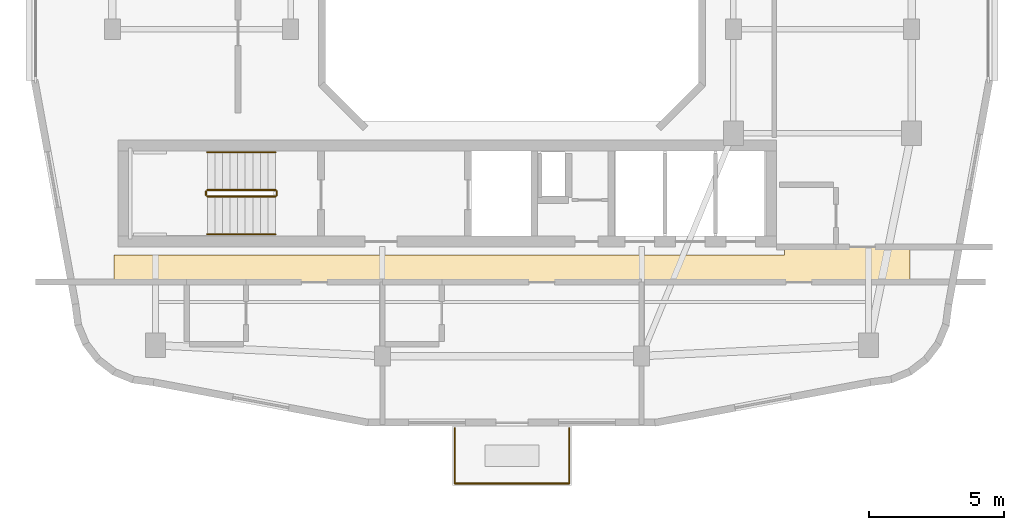
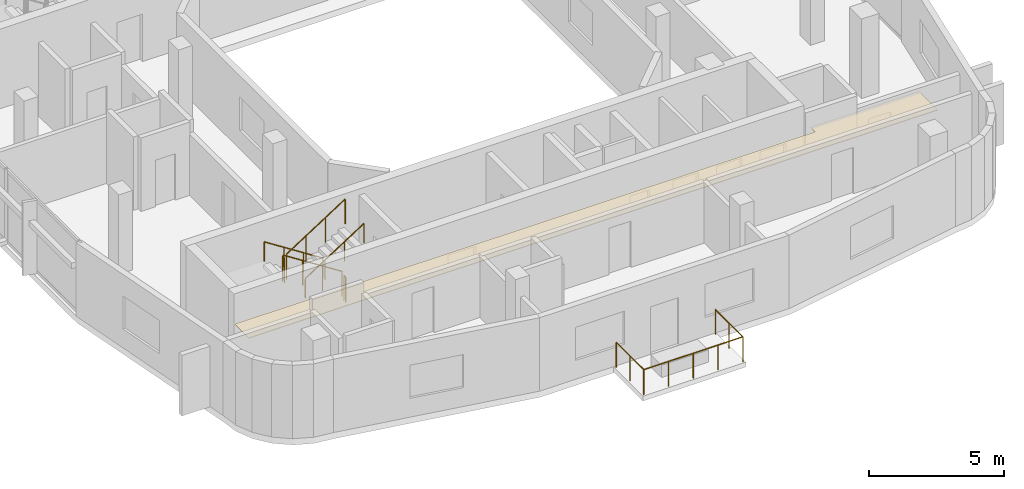
# One storey, part 8 of 10: 9 railings, 1 covering.
"""IFC4 building model written with IfcOpenShell, lengths in metres."""

from ifc_helpers import new_model, si_unit, derived_unit, direction, frame, origin, origin_2d, place, context, subcontext, project, spatial, polyline, circle, outline, extrude, material, layer, layer_set, type_object, element, save


model = new_model("IFC4")

# Units and contexts
model_context = context("Model", 3, precision=1e-05, world=origin(), true_north=direction((0.0, 1.0)))
body_context = subcontext(model_context, "Body", "Model", "MODEL_VIEW")
ifc_project = project(units=[si_unit("LENGTHUNIT", "METRE"), si_unit("AREAUNIT", "SQUARE_METRE"), si_unit("VOLUMEUNIT", "CUBIC_METRE"), si_unit("PLANEANGLEUNIT", "RADIAN"), si_unit("MASSUNIT", "GRAM", prefix="KILO"), derived_unit("THERMALTRANSMITTANCEUNIT", [(si_unit("POWERUNIT", "WATT"), 1), (si_unit("LENGTHUNIT", "METRE"), -2), (si_unit("THERMODYNAMICTEMPERATUREUNIT", "KELVIN"), -1)])], contexts=[model_context])

# Site, building, storey
site_placement = place(None, origin())
site = spatial("IfcSite", under=ifc_project, at=site_placement, CompositionType="ELEMENT")
building_placement = place(site_placement, origin())
building = spatial("IfcBuilding", under=site, at=building_placement, Name="Kivonza Crest Hotel", CompositionType="ELEMENT")
storey_placement = place(building_placement, frame((0.0, 0.0, 254.0)))
storey = spatial("IfcBuildingStorey", under=building, at=storey_placement, Name="L69", CompositionType="ELEMENT", Elevation=254.0)

# Covering
ifc_material_1 = material(Name="Moisture-resistant gypsum plasterboard ceiling", Category="gypsum")
ifc_layer = layer(ifc_material_1, 0.030029296875)
ifc_layer_set = layer_set([ifc_layer], Name="Moisture-resistant gypsum plasterboard ceiling")
covering_type = type_object("IfcCoveringType", Name="CV-CEIL-GYP", PredefinedType="CEILING", material=ifc_layer_set)
covering_placement = place(storey_placement, frame((0.0, 0.0, 2.449951171875)))
element("IfcCovering", 1, at=covering_placement, inside=storey, type_object=covering_type, Name="L69 Hotel South Guest Corridor suspended ceiling", PredefinedType="CEILING", context=body_context, shape_type="SweptSolid", body=[
    extrude(outline(polyline([(35.739990234375, 12.10009765625), (35.739990234375, 13.47998046875), (31.10009765625, 13.47998046875), (31.10009765625, 13.139892578125), (6.260009765625, 13.139892578125), (6.260009765625, 12.10009765625), (35.739990234375, 12.10009765625)])), origin(), (0.0, 0.0, 1.0), 0.030029296875),
])

# Railings
ifc_material_2 = material(Name="Brushed stainless steel handrail", Category="steel")
railing_type_1 = type_object("IfcRailingType", Name="RL-HAND-900", PredefinedType="HANDRAIL", material=ifc_material_2)
railing_1_placement = place(storey_placement, frame((12.239990234375, 16.949951171875, 0.179931640625)))
element("IfcRailing", 2, at=railing_1_placement, inside=storey, type_object=railing_type_1, Name="L69 ST-T1-S stair handrail 1", PredefinedType="HANDRAIL", context=body_context, shape_type="SweptSolid", body=[
    extrude(circle(Radius=0.02392578125, at=origin_2d()), frame((0.0, 0.0, 0.8759765625), z_axis=(-0.841162588446, 0.0, 0.540782303519), x_axis=(0.0, -1.0, 0.0)), (0.0, 0.0, 1.0), 2.995849609375),
    extrude(circle(Radius=0.02099609375, at=origin_2d()), origin(), (0.0, 0.0, 1.0), 0.851806640625),
    extrude(circle(Radius=0.02099609375, at=origin_2d()), frame((-0.840087890625, 0.0, 0.5400390625)), (0.0, 0.0, 1.0), 0.851806640625),
    extrude(circle(Radius=0.02099609375, at=origin_2d()), frame((-1.679931640625, 0.0, 1.080078125)), (0.0, 0.0, 1.0), 0.851806640625),
    extrude(circle(Radius=0.02099609375, at=origin_2d()), frame((-2.52001953125, 0.0, 1.6201171875)), (0.0, 0.0, 1.0), 0.851806640625),
])
railing_2_placement = place(storey_placement, frame((9.719970703125, 13.909912109375, 1.97998046875)))
element("IfcRailing", 3, at=railing_2_placement, inside=storey, type_object=railing_type_1, Name="L69 ST-T1-S stair handrail 2", PredefinedType="HANDRAIL", context=body_context, shape_type="SweptSolid", body=[
    extrude(circle(Radius=0.02392578125, at=origin_2d()), frame((0.0, 0.0, 0.8759765625), z_axis=(0.841162588446, 0.0, 0.540782303519), x_axis=(0.0, 1.0, 0.0)), (0.0, 0.0, 1.0), 2.995849609375),
    extrude(circle(Radius=0.02099609375, at=origin_2d()), origin(), (0.0, 0.0, 1.0), 0.851806640625),
    extrude(circle(Radius=0.02099609375, at=origin_2d()), frame((0.840087890625, 0.0, 0.5400390625)), (0.0, 0.0, 1.0), 0.851806640625),
    extrude(circle(Radius=0.02099609375, at=origin_2d()), frame((1.679931640625, 0.0, 1.080078125)), (0.0, 0.0, 1.0), 0.851806640625),
    extrude(circle(Radius=0.02099609375, at=origin_2d()), frame((2.52001953125, 0.0, 1.6201171875)), (0.0, 0.0, 1.0), 0.851806640625),
])
ifc_material_3 = material(Name="Painted steel balustrade", Category="steel")
railing_type_2 = type_object("IfcRailingType", Name="RL-STAIR-1150", PredefinedType="BALUSTRADE", material=ifc_material_3)
railing_3_placement = place(storey_placement, frame((12.239990234375, 15.550048828125, 0.179931640625)))
element("IfcRailing", 4, at=railing_3_placement, inside=storey, type_object=railing_type_2, Name="L69 ST-T1-S stair guard 1", PredefinedType="BALUSTRADE", context=body_context, shape_type="SweptSolid", body=[
    extrude(circle(Radius=0.02392578125, at=origin_2d()), frame((0.0, 0.0, 1.1259765625), z_axis=(-0.841162588446, 0.0, 0.540782303519), x_axis=(0.0, -1.0, 0.0)), (0.0, 0.0, 1.0), 2.995849609375),
    extrude(circle(Radius=0.02099609375, at=origin_2d()), origin(), (0.0, 0.0, 1.0), 1.101806640625),
    extrude(circle(Radius=0.02099609375, at=origin_2d()), frame((-0.840087890625, 0.0, 0.5400390625)), (0.0, 0.0, 1.0), 1.101806640625),
    extrude(circle(Radius=0.02099609375, at=origin_2d()), frame((-1.679931640625, 0.0, 1.080078125)), (0.0, 0.0, 1.0), 1.101806640625),
    extrude(circle(Radius=0.02099609375, at=origin_2d()), frame((-2.52001953125, 0.0, 1.6201171875)), (0.0, 0.0, 1.0), 1.101806640625),
])
railing_4_placement = place(storey_placement, frame((9.669921875, 15.5, 1.800048828125)))
element("IfcRailing", 5, at=railing_4_placement, inside=storey, type_object=railing_type_2, Name="L69 ST-T1-S stair guard 2", PredefinedType="BALUSTRADE", context=body_context, shape_type="SweptSolid", body=[
    extrude(circle(Radius=0.02392578125, at=origin_2d()), frame((0.0, 0.0, 1.1259765625), z_axis=(0.0, -1.0, 0.0), x_axis=(1.0, 0.0, 0.0)), (0.0, 0.0, 1.0), 0.139892578125),
    extrude(circle(Radius=0.02099609375, at=origin_2d()), origin(), (0.0, 0.0, 1.0), 1.101806640625),
    extrude(circle(Radius=0.02099609375, at=origin_2d()), frame((0.0, -0.139892578125, 0.0)), (0.0, 0.0, 1.0), 1.101806640625),
])
railing_5_placement = place(storey_placement, frame((9.719970703125, 15.31005859375, 1.97998046875)))
element("IfcRailing", 6, at=railing_5_placement, inside=storey, type_object=railing_type_2, Name="L69 ST-T1-S stair guard 3", PredefinedType="BALUSTRADE", context=body_context, shape_type="SweptSolid", body=[
    extrude(circle(Radius=0.02392578125, at=origin_2d()), frame((0.0, 0.0, 1.1259765625), z_axis=(0.841162588446, 0.0, 0.540782303519), x_axis=(0.0, 1.0, 0.0)), (0.0, 0.0, 1.0), 2.995849609375),
    extrude(circle(Radius=0.02099609375, at=origin_2d()), origin(), (0.0, 0.0, 1.0), 1.101806640625),
    extrude(circle(Radius=0.02099609375, at=origin_2d()), frame((0.840087890625, 0.0, 0.5400390625)), (0.0, 0.0, 1.0), 1.101806640625),
    extrude(circle(Radius=0.02099609375, at=origin_2d()), frame((1.679931640625, 0.0, 1.080078125)), (0.0, 0.0, 1.0), 1.101806640625),
    extrude(circle(Radius=0.02099609375, at=origin_2d()), frame((2.52001953125, 0.0, 1.6201171875)), (0.0, 0.0, 1.0), 1.101806640625),
])
railing_6_placement = place(storey_placement, frame((12.2900390625, 15.5, 0.0)))
element("IfcRailing", 7, at=railing_6_placement, inside=storey, type_object=railing_type_2, Name="L69 ST-T1-S stair guard 4", PredefinedType="BALUSTRADE", context=body_context, shape_type="SweptSolid", body=[
    extrude(circle(Radius=0.02392578125, at=origin_2d()), frame((0.0, 0.0, 1.1259765625), z_axis=(0.0, -1.0, 0.0), x_axis=(1.0, 0.0, 0.0)), (0.0, 0.0, 1.0), 0.139892578125),
    extrude(circle(Radius=0.02099609375, at=origin_2d()), origin(), (0.0, 0.0, 1.0), 1.101806640625),
    extrude(circle(Radius=0.02099609375, at=origin_2d()), frame((0.0, -0.139892578125, 0.0)), (0.0, 0.0, 1.0), 1.101806640625),
])
ifc_material_4 = material(Name="Laminated glass and stainless steel balustrade", Category="steel")
railing_type_3 = type_object("IfcRailingType", Name="RL-TERR-1150", PredefinedType="BALUSTRADE", material=ifc_material_4)
railing_7_placement = place(storey_placement, frame((18.8798828125, 4.679931640625, 0.0)))
element("IfcRailing", 8, at=railing_7_placement, inside=storey, type_object=railing_type_3, Name="L69 T1-L69-SG-SW perimeter safety balustrade 1", PredefinedType="BALUSTRADE", context=body_context, shape_type="SweptSolid", body=[
    extrude(circle(Radius=0.02392578125, at=origin_2d()), frame((0.0, 0.0, 1.1259765625), z_axis=(0.0, 1.0, 0.0), x_axis=(-1.0, 0.0, 0.0)), (0.0, 0.0, 1.0), 2.0400390625),
    extrude(circle(Radius=0.02099609375, at=origin_2d()), origin(), (0.0, 0.0, 1.0), 1.101806640625),
    extrude(circle(Radius=0.02099609375, at=origin_2d()), frame((0.0, 1.02001953125, 0.0)), (0.0, 0.0, 1.0), 1.101806640625),
    extrude(circle(Radius=0.02099609375, at=origin_2d()), frame((0.0, 2.0400390625, 0.0)), (0.0, 0.0, 1.0), 1.101806640625),
])
railing_8_placement = place(storey_placement, frame((23.1201171875, 6.719970703125, 0.0)))
element("IfcRailing", 9, at=railing_8_placement, inside=storey, type_object=railing_type_3, Name="L69 T1-L69-SG-SW perimeter safety balustrade 2", PredefinedType="BALUSTRADE", context=body_context, shape_type="SweptSolid", body=[
    extrude(circle(Radius=0.02392578125, at=origin_2d()), frame((0.0, 0.0, 1.1259765625), z_axis=(0.0, -1.0, 0.0), x_axis=(1.0, 0.0, 0.0)), (0.0, 0.0, 1.0), 2.0400390625),
    extrude(circle(Radius=0.02099609375, at=origin_2d()), origin(), (0.0, 0.0, 1.0), 1.101806640625),
    extrude(circle(Radius=0.02099609375, at=origin_2d()), frame((0.0, -1.02001953125, 0.0)), (0.0, 0.0, 1.0), 1.101806640625),
    extrude(circle(Radius=0.02099609375, at=origin_2d()), frame((0.0, -2.0400390625, 0.0)), (0.0, 0.0, 1.0), 1.101806640625),
])
railing_9_placement = place(storey_placement, frame((23.1201171875, 4.679931640625, 0.0)))
element("IfcRailing", 10, at=railing_9_placement, inside=storey, type_object=railing_type_3, Name="L69 T1-L69-SG-SW perimeter safety balustrade 3", PredefinedType="BALUSTRADE", context=body_context, shape_type="SweptSolid", body=[
    extrude(circle(Radius=0.02392578125, at=origin_2d()), frame((0.0, 0.0, 1.1259765625), z_axis=(-1.0, 0.0, 0.0), x_axis=(0.0, -1.0, 0.0)), (0.0, 0.0, 1.0), 4.240234375),
    extrude(circle(Radius=0.02099609375, at=origin_2d()), origin(), (0.0, 0.0, 1.0), 1.101806640625),
    extrude(circle(Radius=0.02099609375, at=origin_2d()), frame((-1.06005859375, 0.0, 0.0)), (0.0, 0.0, 1.0), 1.101806640625),
    extrude(circle(Radius=0.02099609375, at=origin_2d()), frame((-2.1201171875, 0.0, 0.0)), (0.0, 0.0, 1.0), 1.101806640625),
    extrude(circle(Radius=0.02099609375, at=origin_2d()), frame((-3.18017578125, 0.0, 0.0)), (0.0, 0.0, 1.0), 1.101806640625),
    extrude(circle(Radius=0.02099609375, at=origin_2d()), frame((-4.240234375, 0.0, 0.0)), (0.0, 0.0, 1.0), 1.101806640625),
])

save(model, "model.ifc")
